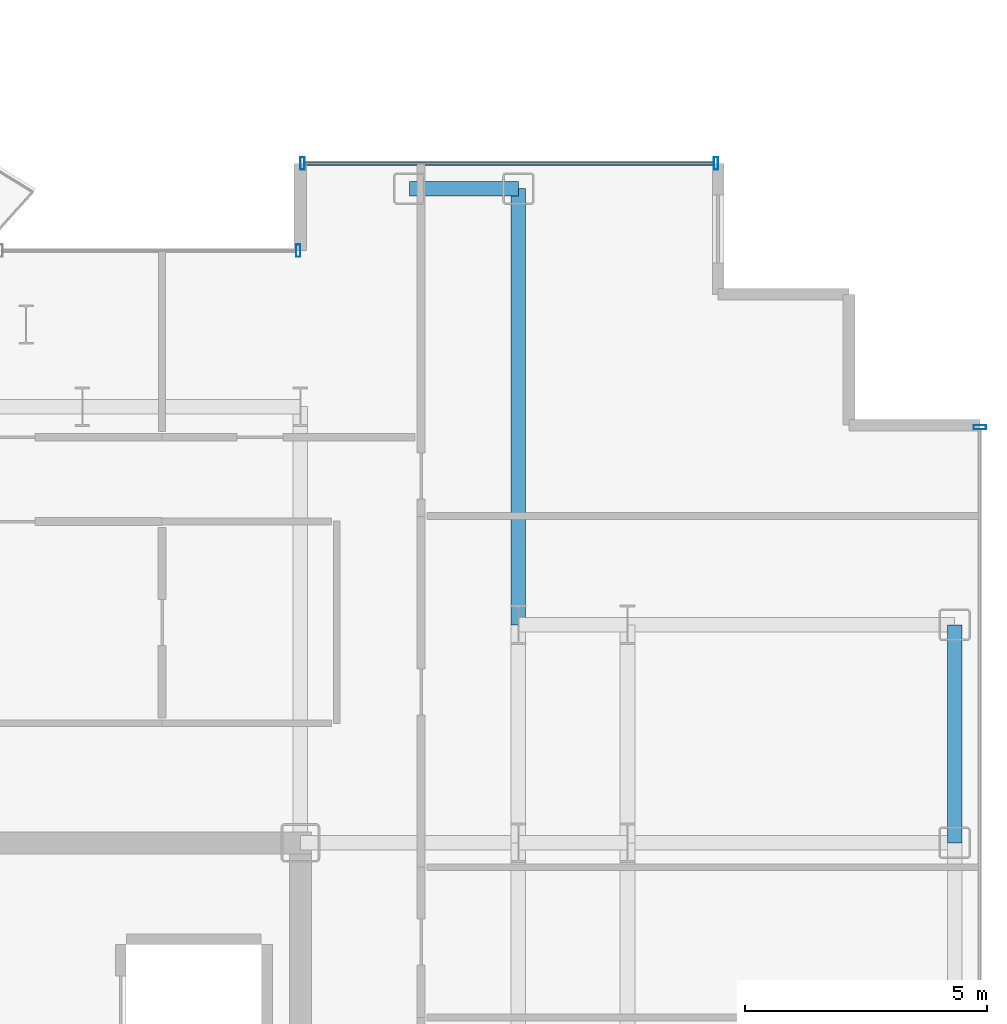
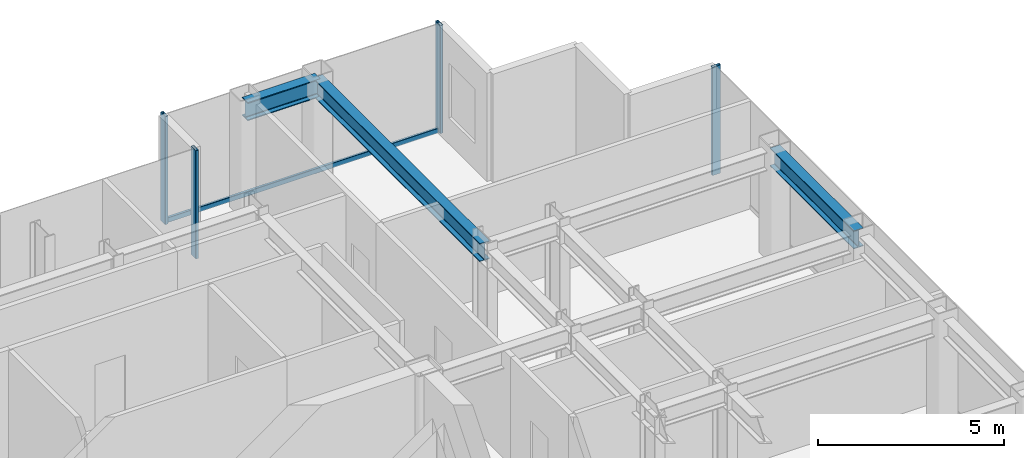
# One storey, part 12 of 21: 5 members, 3 beams, 3 elements without a shape of their own.
"""IFC4 building model written with IfcOpenShell, lengths in metres."""

from ifc_helpers import new_model, si_unit, direction, frame, origin, origin_2d, place, context, subcontext, project, spatial, hollow_rectangle, i_section, extrude, source, transform, mapped, material, layer, layer_set, material_profile, profile_set, type_object, element, aggregate, save


model = new_model("IFC4")

# Units and contexts
model_context = context("Model", 3, precision=1e-05, world=origin(), true_north=direction((0.0, 1.0)))
body_context = subcontext(model_context, "Body", "Model", "MODEL_VIEW")
ifc_project = project(units=[si_unit("LENGTHUNIT", "METRE"), si_unit("AREAUNIT", "SQUARE_METRE"), si_unit("VOLUMEUNIT", "CUBIC_METRE"), si_unit("PLANEANGLEUNIT", "RADIAN"), si_unit("MASSUNIT", "GRAM", prefix="KILO")], contexts=[model_context])

# Site, building, storey
site_placement = place(None, origin())
site = spatial("IfcSite", under=ifc_project, at=site_placement, CompositionType="ELEMENT")
building_placement = place(site_placement, origin())
building = spatial("IfcBuilding", under=site, at=building_placement, Name="Nefas-Gora Pilgrimage Tower", CompositionType="ELEMENT")
storey_placement = place(building_placement, frame((0.0, 0.0, 248.39990234375)))
storey = spatial("IfcBuildingStorey", under=building, at=storey_placement, Name="L62", CompositionType="ELEMENT", Elevation=248.39990234375)

# Beams
ifc_material_1 = material(Name="Steel S355", Category="steel")
ifc_material_profile_1 = material_profile(ifc_material_1, i_section(OverallWidth=0.300048828125, OverallDepth=0.60009765625, WebThickness=0.015380859375, FlangeThickness=0.030029296875, FilletRadius=0.027099609375, at=origin_2d()), Name="HEB 600")
ifc_profile_set_1 = profile_set([ifc_material_profile_1], Name="Steel S355")
beam_type_1 = type_object("IfcBeamType", Name="BM-SPN-HEB450", PredefinedType="SPANDREL", material=ifc_profile_set_1)
shared_shape_1 = source(origin(), body_context, "Body", "SweptSolid", [
    extrude(i_section(OverallWidth=0.300048828125, OverallDepth=0.60009765625, WebThickness=0.015380859375, FlangeThickness=0.030029296875, FilletRadius=0.027099609375, at=origin_2d()), origin(), (0.0, 0.0, 1.0), 4.5),
])
beam_1_placement = place(storey_placement, frame((24.75, 9.0, 3.25), z_axis=(0.0, 1.0, 0.0), x_axis=(-1.0, 0.0, 0.0)))
element("IfcBeam", 1, at=beam_1_placement, inside=storey, type_object=beam_type_1, Name="L62 SP-03 beam", PredefinedType="SPANDREL", context=body_context, shape_type="MappedRepresentation", body=[
    mapped(shared_shape_1, transform((0.0, 0.0, 0.0), x_axis=(1.0, 0.0, 0.0), y_axis=(0.0, 1.0, 0.0), z_axis=(0.0, 0.0, 1.0), scale=1.0)),
])
ifc_material_profile_2 = material_profile(ifc_material_1, i_section(OverallWidth=0.300048828125, OverallDepth=0.60009765625, WebThickness=0.015380859375, FlangeThickness=0.030029296875, FilletRadius=0.027099609375, at=origin_2d()), Name="HEB 600")
ifc_profile_set_2 = profile_set([ifc_material_profile_2], Name="Steel S355")
beam_type_2 = type_object("IfcBeamType", Name="BM-GIR-HEB600", PredefinedType="BEAM", material=ifc_profile_set_2)
shared_shape_2 = source(origin(), body_context, "Body", "SweptSolid", [
    extrude(i_section(OverallWidth=0.300048828125, OverallDepth=0.60009765625, WebThickness=0.015380859375, FlangeThickness=0.030029296875, FilletRadius=0.027099609375, at=origin_2d()), origin(), (0.0, 0.0, 1.0), 9.0),
])
beam_2_placement = place(storey_placement, frame((15.75, 13.5, 3.25), z_axis=(0.0, 1.0, 0.0), x_axis=(-1.0, 0.0, 0.0)))
element("IfcBeam", 2, at=beam_2_placement, inside=storey, type_object=beam_type_2, Name="L62 G-04 beam", PredefinedType="BEAM", context=body_context, shape_type="MappedRepresentation", body=[
    mapped(shared_shape_2, transform((0.0, 0.0, 0.0), x_axis=(1.0, 0.0, 0.0), y_axis=(0.0, 1.0, 0.0), z_axis=(0.0, 0.0, 1.0), scale=1.0)),
])
shared_shape_3 = source(origin(), body_context, "Body", "SweptSolid", [
    extrude(i_section(OverallWidth=0.300048828125, OverallDepth=0.60009765625, WebThickness=0.015380859375, FlangeThickness=0.030029296875, FilletRadius=0.027099609375, at=origin_2d()), origin(), (0.0, 0.0, 1.0), 2.25),
])
beam_3_placement = place(storey_placement, frame((13.5, 22.5, 3.25), z_axis=(1.0, 0.0, 0.0), x_axis=(0.0, 1.0, 0.0)))
element("IfcBeam", 3, at=beam_3_placement, inside=storey, type_object=beam_type_1, Name="L62 SP-03 beam", PredefinedType="SPANDREL", context=body_context, shape_type="MappedRepresentation", body=[
    mapped(shared_shape_3, transform((0.0, 0.0, 0.0), x_axis=(1.0, 0.0, 0.0), y_axis=(0.0, 1.0, 0.0), z_axis=(0.0, 0.0, 1.0), scale=1.0)),
])

# Curtain wall, member
ifc_material_2 = material(Name="Dark ceramic-fritted solar-control aluminium-glass curtain wall", Category="aluminium")
ifc_layer_1 = layer(ifc_material_2, 0.219970703125)
ifc_layer_set_1 = layer_set([ifc_layer_1], Name="Dark ceramic-fritted solar-control aluminium-glass curtain wall")
curtain_wall_type_1 = type_object("IfcCurtainWallType", Name="CW-SYS-5", PredefinedType="NOTDEFINED", material=ifc_layer_set_1)
curtain_wall_1_placement = place(storey_placement, origin())
curtain_wall_1 = element("IfcCurtainWall", 4, at=curtain_wall_1_placement, inside=storey, type_object=curtain_wall_type_1, Name="L62 Unitised Curtain Wall CW5", PredefinedType="NOTDEFINED")
ifc_material_3 = material(Name="Anodised architectural aluminium", Category="aluminium")
ifc_material_profile_3 = material_profile(ifc_material_3, hollow_rectangle(XDim=0.090087890625, YDim=0.260009765625, WallThickness=0.006103515625, InnerFilletRadius=0.006103515625, OuterFilletRadius=0.011962890625, at=origin_2d()), Name="ALU MULLION 90x260")
ifc_profile_set_3 = profile_set([ifc_material_profile_3], Name="Anodised architectural aluminium")
member_type_1 = type_object("IfcMemberType", Name="CWM-MUL-5", PredefinedType="MULLION", material=ifc_profile_set_3)
shared_shape_4 = source(origin(), body_context, "Body", "SweptSolid", [
    extrude(hollow_rectangle(XDim=0.090087890625, YDim=0.260009765625, WallThickness=0.006103515625, InnerFilletRadius=0.006103515625, OuterFilletRadius=0.011962890625, at=origin_2d()), origin(), (0.0, 0.0, 1.0), 3.550048828125),
])
member_1_placement = place(storey_placement, frame((11.205078125, 21.219970703125, 0.0), z_axis=(0.0, 0.0, 1.0), x_axis=(-1.0, 0.0, 0.0)))
member_1 = element("IfcMember", 5, at=member_1_placement, type_object=member_type_1, Name="CW5 Mullion 1", PredefinedType="MULLION", context=body_context, shape_type="MappedRepresentation", body=[
    mapped(shared_shape_4, transform((0.0, 0.0, 0.0), x_axis=(1.0, 0.0, 0.0), y_axis=(0.0, 1.0, 0.0), z_axis=(0.0, 0.0, 1.0), scale=1.0)),
])
aggregate(curtain_wall_1, [member_1])

ifc_layer_2 = layer(ifc_material_2, 0.219970703125)
ifc_layer_set_2 = layer_set([ifc_layer_2], Name="Dark ceramic-fritted solar-control aluminium-glass curtain wall")
curtain_wall_type_2 = type_object("IfcCurtainWallType", Name="CW-SYS-3", PredefinedType="NOTDEFINED", material=ifc_layer_set_2)
curtain_wall_2_placement = place(storey_placement, origin())
curtain_wall_2 = element("IfcCurtainWall", 6, at=curtain_wall_2_placement, inside=storey, type_object=curtain_wall_type_2, Name="L62 Unitised Curtain Wall CW3", PredefinedType="NOTDEFINED")
ifc_material_profile_4 = material_profile(ifc_material_3, hollow_rectangle(XDim=0.090087890625, YDim=0.260009765625, WallThickness=0.006103515625, InnerFilletRadius=0.006103515625, OuterFilletRadius=0.011962890625, at=origin_2d()), Name="ALU MULLION 90x260")
ifc_profile_set_4 = profile_set([ifc_material_profile_4], Name="Anodised architectural aluminium")
member_type_2 = type_object("IfcMemberType", Name="CWM-MUL-3", PredefinedType="MULLION", material=ifc_profile_set_4)
shared_shape_5 = source(origin(), body_context, "Body", "SweptSolid", [
    extrude(hollow_rectangle(XDim=0.090087890625, YDim=0.260009765625, WallThickness=0.006103515625, InnerFilletRadius=0.006103515625, OuterFilletRadius=0.011962890625, at=origin_2d()), origin(), (0.0, 0.0, 1.0), 3.550048828125),
])
member_2_placement = place(storey_placement, frame((25.27001953125, 17.574951171875, 0.0), z_axis=(0.0, 0.0, 1.0), x_axis=(0.0, 1.0, 0.0)))
member_2 = element("IfcMember", 7, at=member_2_placement, type_object=member_type_2, Name="CW3 Mullion 2", PredefinedType="MULLION", context=body_context, shape_type="MappedRepresentation", body=[
    mapped(shared_shape_5, transform((0.0, 0.0, 0.0), x_axis=(1.0, 0.0, 0.0), y_axis=(0.0, 1.0, 0.0), z_axis=(0.0, 0.0, 1.0), scale=1.0)),
])
aggregate(curtain_wall_2, [member_2])

# Curtain wall, members
curtain_wall_3_placement = place(storey_placement, origin())
curtain_wall_3 = element("IfcCurtainWall", 8, at=curtain_wall_3_placement, inside=storey, type_object=curtain_wall_type_2, Name="L62 Unitised Curtain Wall CW3", PredefinedType="NOTDEFINED")
member_3_placement = place(storey_placement, frame((19.824951171875, 23.02001953125, 0.0), z_axis=(0.0, 0.0, 1.0), x_axis=(-1.0, 0.0, 0.0)))
member_3 = element("IfcMember", 9, at=member_3_placement, type_object=member_type_2, Name="CW3 Mullion 1", PredefinedType="MULLION", context=body_context, shape_type="MappedRepresentation", body=[
    mapped(shared_shape_5, transform((0.0, 0.0, 0.0), x_axis=(1.0, 0.0, 0.0), y_axis=(0.0, 1.0, 0.0), z_axis=(0.0, 0.0, 1.0), scale=1.0)),
])
member_4_placement = place(storey_placement, frame((11.294921875, 23.02001953125, 0.0), z_axis=(0.0, 0.0, 1.0), x_axis=(-1.0, 0.0, 0.0)))
member_4 = element("IfcMember", 10, at=member_4_placement, type_object=member_type_2, Name="CW3 Mullion 2", PredefinedType="MULLION", context=body_context, shape_type="MappedRepresentation", body=[
    mapped(shared_shape_5, transform((0.0, 0.0, 0.0), x_axis=(1.0, 0.0, 0.0), y_axis=(0.0, 1.0, 0.0), z_axis=(0.0, 0.0, 1.0), scale=1.0)),
])
ifc_material_profile_5 = material_profile(ifc_material_3, hollow_rectangle(XDim=0.080078125, YDim=0.159912109375, WallThickness=0.00439453125, InnerFilletRadius=0.00439453125, OuterFilletRadius=0.009033203125, at=origin_2d()), Name="ALU TRANSOM 80x160")
ifc_profile_set_5 = profile_set([ifc_material_profile_5], Name="Anodised architectural aluminium")
member_type_3 = type_object("IfcMemberType", Name="CWM-TRN-3", PredefinedType="USERDEFINED", material=ifc_profile_set_5)
shared_shape_6 = source(origin(), body_context, "Body", "SweptSolid", [
    extrude(hollow_rectangle(XDim=0.080078125, YDim=0.159912109375, WallThickness=0.00439453125, InnerFilletRadius=0.00439453125, OuterFilletRadius=0.009033203125, at=origin_2d()), origin(), (0.0, 0.0, 1.0), 8.43994140625),
])
member_5_placement = place(storey_placement, frame((19.780029296875, 23.02001953125, 0.050048828125), z_axis=(-1.0, 0.0, 0.0), x_axis=(0.0, -1.0, 0.0)))
member_5 = element("IfcMember", 11, at=member_5_placement, type_object=member_type_3, Name="CW3 Spandrel Transom", ObjectType="TRANSOM", PredefinedType="USERDEFINED", context=body_context, shape_type="MappedRepresentation", body=[
    mapped(shared_shape_6, transform((0.0, 0.0, 0.0), x_axis=(1.0, 0.0, 0.0), y_axis=(0.0, 1.0, 0.0), z_axis=(0.0, 0.0, 1.0), scale=1.0)),
])
aggregate(curtain_wall_3, [member_3, member_4, member_5])

save(model, "model.ifc")
